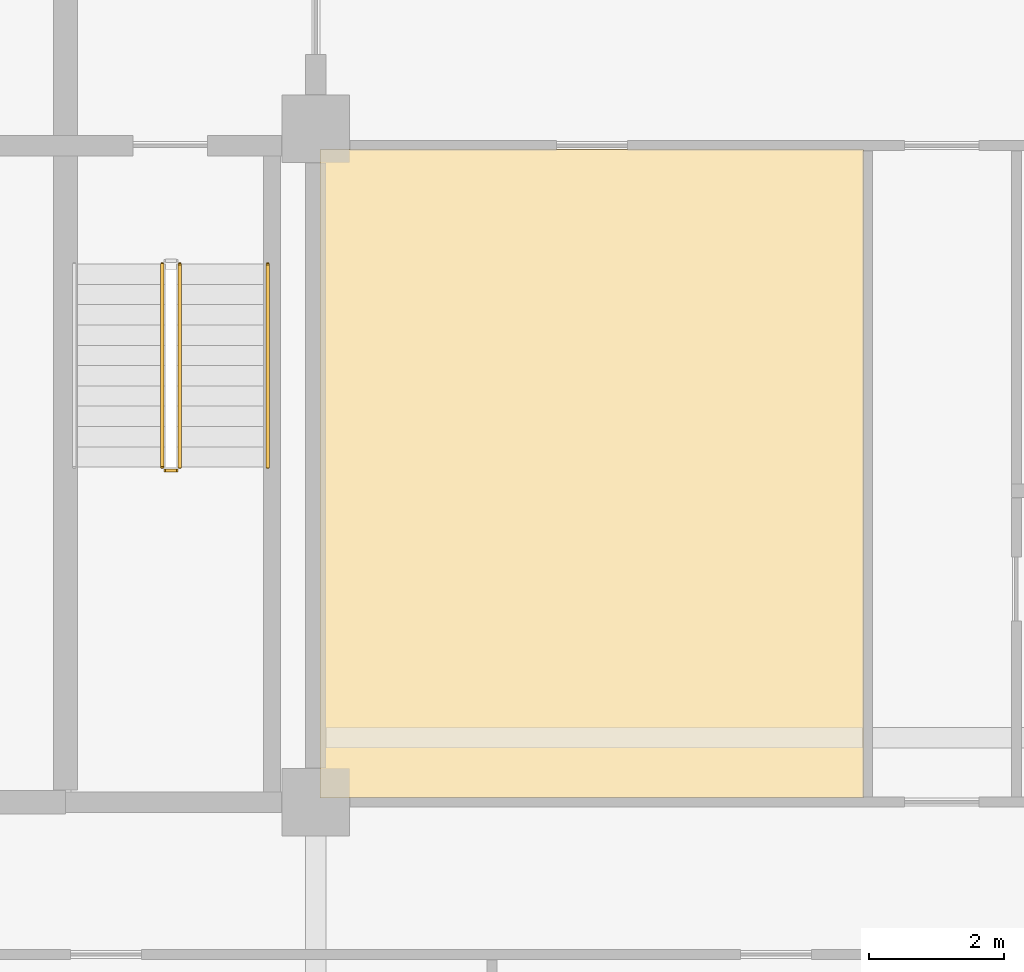
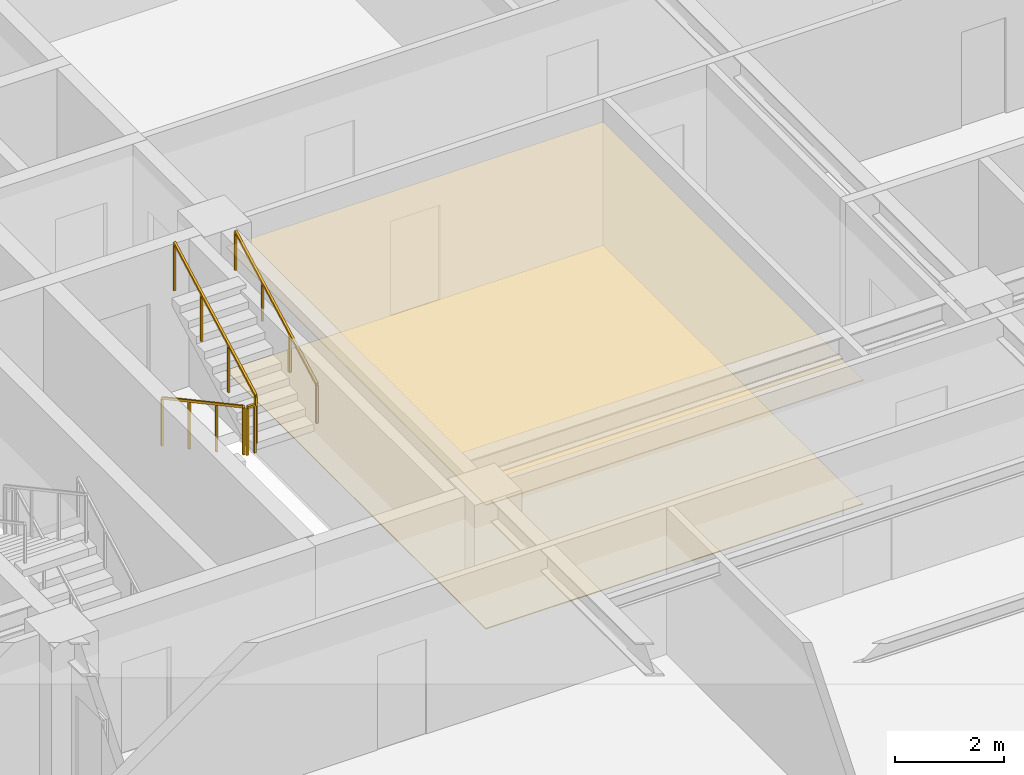
# One storey, part 10 of 14: 4 railings, 2 coverings.
"""IFC4 building model written with IfcOpenShell, lengths in metres."""

from ifc_helpers import new_model, si_unit, direction, frame, origin, origin_2d, place, context, subcontext, project, spatial, polyline, rectangle, outline, extrude, material, layer, layer_set, type_object, element, save


model = new_model("IFC4")

# Units and contexts
model_context = context("Model", 3, precision=1e-05, world=origin(), true_north=direction((0.0, 1.0)))
body_context = subcontext(model_context, "Body", "Model", "MODEL_VIEW")
ifc_project = project(units=[si_unit("LENGTHUNIT", "METRE"), si_unit("AREAUNIT", "SQUARE_METRE"), si_unit("VOLUMEUNIT", "CUBIC_METRE"), si_unit("PLANEANGLEUNIT", "RADIAN"), si_unit("MASSUNIT", "GRAM", prefix="KILO")], contexts=[model_context])

# Site, building, storey
site_placement = place(None, origin())
site = spatial("IfcSite", under=ifc_project, at=site_placement, CompositionType="ELEMENT")
building_placement = place(site_placement, origin())
building = spatial("IfcBuilding", under=site, at=building_placement, Name="Zulmaris Gate Convention Tower", CompositionType="ELEMENT")
storey_placement = place(building_placement, frame((0.0, 0.0, 135.6298828125)))
storey = spatial("IfcBuildingStorey", under=building, at=storey_placement, Name="L34", CompositionType="ELEMENT", Elevation=135.6298828125)

# Coverings
ifc_material_1 = material(Name="Mineral Fibre Acoustic Ceiling Tile")
ifc_layer_1 = layer(ifc_material_1, 0.02001953125, Name="Mineral Fibre Acoustic Ceiling Tile")
ifc_layer_set_1 = layer_set([ifc_layer_1], Name="Mineral Fibre Acoustic Ceiling Tile")
covering_type_1 = type_object("IfcCoveringType", Name="CLG-ACOUSTIC-600", PredefinedType="CEILING", material=ifc_layer_set_1)
covering_1_placement = place(storey_placement, frame((0.0, 0.0, 2.778076171875)))
element("IfcCovering", 1, at=covering_1_placement, inside=storey, type_object=covering_type_1, Name="CLG-L34-R39", PredefinedType="CEILING", context=body_context, shape_type="SweptSolid", body=[
    extrude(outline(polyline([(-10.93994140625, -9.889892578125), (-2.909912109375, -9.889892578125), (-2.909912109375, -0.31005859375), (-10.93994140625, -0.31005859375), (-10.93994140625, -9.889892578125)])), origin(), (0.0, 0.0, 1.0), 0.02001953125),
])
ifc_material_2 = material(Name="Woven Acoustic Wool Carpet Tile")
ifc_layer_2 = layer(ifc_material_2, 0.02001953125, Name="Woven Acoustic Wool Carpet Tile")
ifc_layer_set_2 = layer_set([ifc_layer_2], Name="Woven Acoustic Wool Carpet Tile")
covering_type_2 = type_object("IfcCoveringType", Name="FLR-CARPET-12", PredefinedType="FLOORING", material=ifc_layer_set_2)
covering_2_placement = place(storey_placement, origin())
element("IfcCovering", 2, at=covering_2_placement, inside=storey, type_object=covering_type_2, Name="FLR-L34-R39", PredefinedType="FLOORING", context=body_context, shape_type="SweptSolid", body=[
    extrude(outline(polyline([(-10.93994140625, -9.889892578125), (-2.909912109375, -9.889892578125), (-2.909912109375, -0.31005859375), (-10.93994140625, -0.31005859375), (-10.93994140625, -9.889892578125)])), origin(), (0.0, 0.0, 1.0), 0.02001953125),
])

# Railings
ifc_material_3 = material(Name="Painted Galvanised Steel", Category="steel")
railing_type_1 = type_object("IfcRailingType", Name="RL-STG-1150", PredefinedType="GUARDRAIL", material=ifc_material_3)
railing_1_placement = place(storey_placement, frame((-13.27001953125, -2.0, 0.162353515625)))
element("IfcRailing", 3, at=railing_1_placement, inside=storey, type_object=railing_type_1, Name="L34 ST-1 stair guard 1", PredefinedType="GUARDRAIL", context=body_context, shape_type="SweptSolid", body=[
    extrude(rectangle(XDim=0.048095703125, YDim=0.048095703125, at=origin_2d()), frame((0.0, 0.0, 1.076171875), z_axis=(0.0, -0.8795616155, 0.475784998228), x_axis=(1.0, 0.0, 0.0)), (0.0, 0.0, 1.0), 3.410888671875),
    extrude(rectangle(XDim=0.0419921875, YDim=0.0419921875, at=origin_2d()), origin(), (0.0, 0.0, 1.0), 1.052001953125),
    extrude(rectangle(XDim=0.0419921875, YDim=0.0419921875, at=origin_2d()), frame((0.0, -1.0, 0.541015625)), (0.0, 0.0, 1.0), 1.052001953125),
    extrude(rectangle(XDim=0.0419921875, YDim=0.0419921875, at=origin_2d()), frame((0.0, -2.0, 1.081787109375)), (0.0, 0.0, 1.0), 1.052001953125),
    extrude(rectangle(XDim=0.0419921875, YDim=0.0419921875, at=origin_2d()), frame((0.0, -3.0, 1.622802734375)), (0.0, 0.0, 1.0), 1.052001953125),
])
railing_2_placement = place(storey_placement, frame((-13.219970703125, -5.050048828125, 1.78515625)))
element("IfcRailing", 4, at=railing_2_placement, inside=storey, type_object=railing_type_1, Name="L34 ST-1 stair guard 2", PredefinedType="GUARDRAIL", context=body_context, shape_type="SweptSolid", body=[
    extrude(rectangle(XDim=0.048095703125, YDim=0.048095703125, at=origin_2d()), frame((0.0, 0.0, 1.076171875), z_axis=(1.0, 0.0, 0.0), x_axis=(0.0, 1.0, 0.0)), (0.0, 0.0, 1.0), 0.159912109375),
    extrude(rectangle(XDim=0.0419921875, YDim=0.0419921875, at=origin_2d()), origin(), (0.0, 0.0, 1.0), 1.052001953125),
    extrude(rectangle(XDim=0.0419921875, YDim=0.0419921875, at=origin_2d()), frame((0.159912109375, 0.0, 0.0)), (0.0, 0.0, 1.0), 1.052001953125),
])
railing_3_placement = place(storey_placement, frame((-13.010009765625, -5.0, 1.947265625)))
element("IfcRailing", 5, at=railing_3_placement, inside=storey, type_object=railing_type_1, Name="L34 ST-1 stair guard 3", PredefinedType="GUARDRAIL", context=body_context, shape_type="SweptSolid", body=[
    extrude(rectangle(XDim=0.048095703125, YDim=0.048095703125, at=origin_2d()), frame((0.0, 0.0, 1.076171875), z_axis=(0.0, 0.8795616155, 0.475784998228), x_axis=(-1.0, 0.0, 0.0)), (0.0, 0.0, 1.0), 3.410888671875),
    extrude(rectangle(XDim=0.0419921875, YDim=0.0419921875, at=origin_2d()), origin(), (0.0, 0.0, 1.0), 1.052001953125),
    extrude(rectangle(XDim=0.0419921875, YDim=0.0419921875, at=origin_2d()), frame((0.0, 1.0, 0.541015625)), (0.0, 0.0, 1.0), 1.052001953125),
    extrude(rectangle(XDim=0.0419921875, YDim=0.0419921875, at=origin_2d()), frame((0.0, 2.0, 1.081787109375)), (0.0, 0.0, 1.0), 1.052001953125),
    extrude(rectangle(XDim=0.0419921875, YDim=0.0419921875, at=origin_2d()), frame((0.0, 3.0, 1.622802734375)), (0.0, 0.0, 1.0), 1.052001953125),
])
ifc_material_4 = material(Name="Brushed Stainless Steel", Category="steel")
railing_type_2 = type_object("IfcRailingType", Name="RL-STH-900", PredefinedType="HANDRAIL", material=ifc_material_4)
railing_4_placement = place(storey_placement, frame((-11.7099609375, -5.0, 1.947265625)))
element("IfcRailing", 6, at=railing_4_placement, inside=storey, type_object=railing_type_2, Name="L34 ST-1 stair handrail 2", PredefinedType="HANDRAIL", context=body_context, shape_type="SweptSolid", body=[
    extrude(rectangle(XDim=0.048095703125, YDim=0.048095703125, at=origin_2d()), frame((0.0, 0.0, 0.8759765625), z_axis=(0.0, 0.8795616155, 0.475784998228), x_axis=(-1.0, 0.0, 0.0)), (0.0, 0.0, 1.0), 3.410888671875),
    extrude(rectangle(XDim=0.0419921875, YDim=0.0419921875, at=origin_2d()), origin(), (0.0, 0.0, 1.0), 0.851806640625),
    extrude(rectangle(XDim=0.0419921875, YDim=0.0419921875, at=origin_2d()), frame((0.0, 1.0, 0.541015625)), (0.0, 0.0, 1.0), 0.851806640625),
    extrude(rectangle(XDim=0.0419921875, YDim=0.0419921875, at=origin_2d()), frame((0.0, 2.0, 1.081787109375)), (0.0, 0.0, 1.0), 0.851806640625),
    extrude(rectangle(XDim=0.0419921875, YDim=0.0419921875, at=origin_2d()), frame((0.0, 3.0, 1.622802734375)), (0.0, 0.0, 1.0), 0.851806640625),
])

save(model, "model.ifc")
